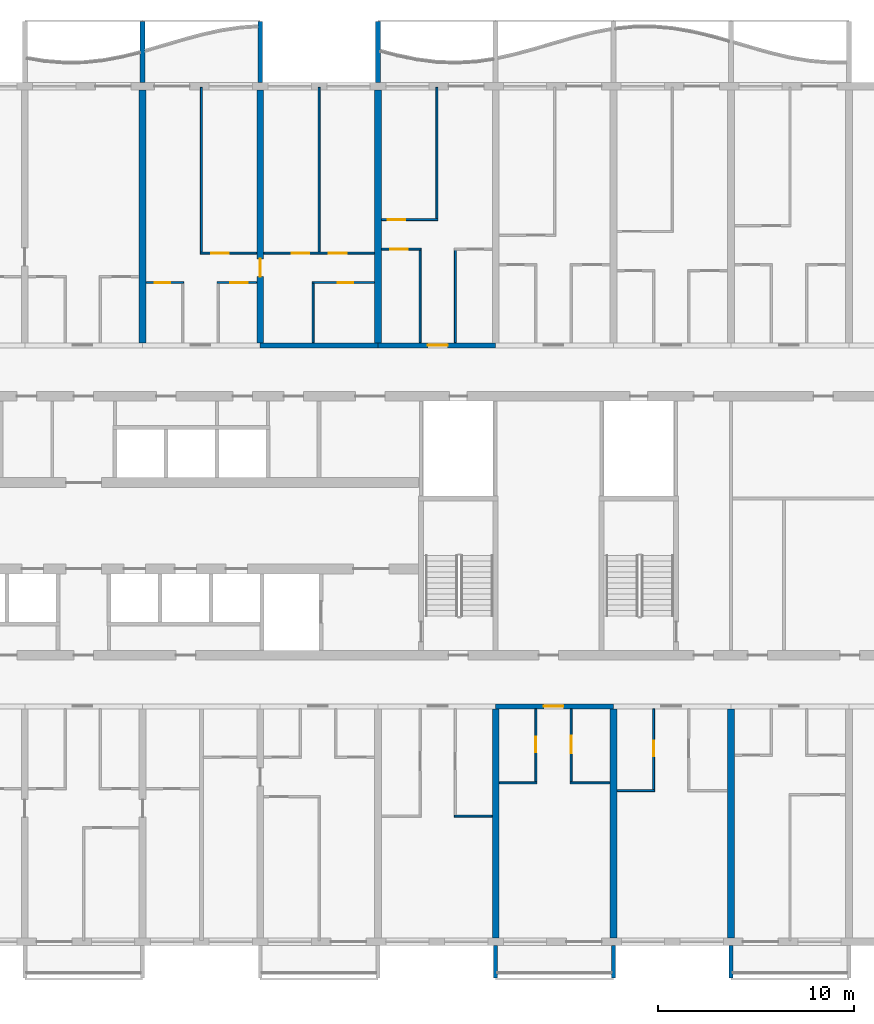
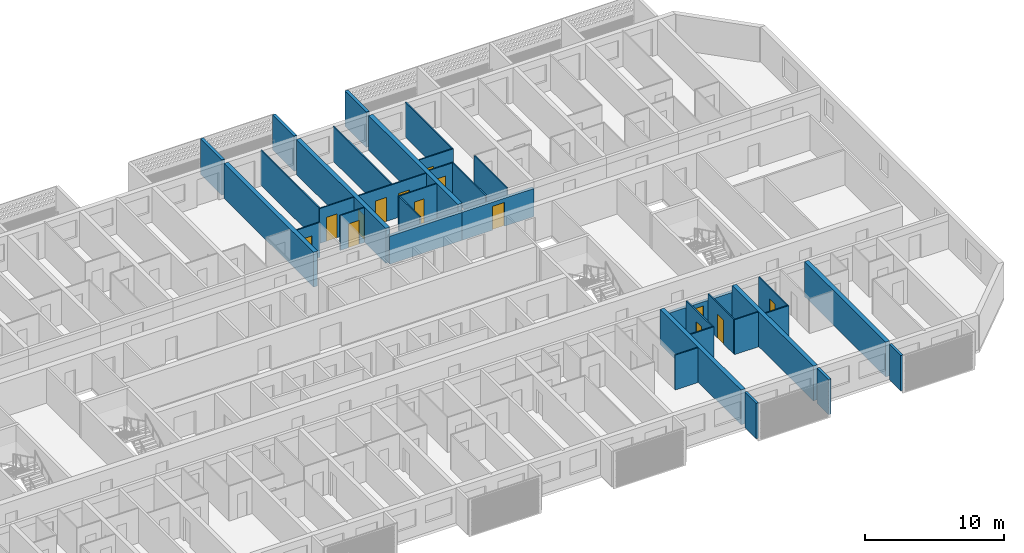
# One storey, part 13 of 27: 35 walls, 14 doors, 14 openings.
"""IFC4 building model written with IfcOpenShell, lengths in metres."""

from ifc_helpers import new_model, si_unit, direction, frame, frame_2d, origin, place, context, subcontext, project, spatial, polyline, rectangle, outline, extrude, source, transform, mapped, material, layer, layer_set, type_object, element, fill, save


model = new_model("IFC4")

# Units and contexts
model_context = context("Model", 3, precision=1e-05, world=origin(), true_north=direction((0.0, 1.0)))
body_context = subcontext(model_context, "Body", "Model", "MODEL_VIEW")
ifc_project = project(units=[si_unit("LENGTHUNIT", "METRE"), si_unit("AREAUNIT", "SQUARE_METRE"), si_unit("VOLUMEUNIT", "CUBIC_METRE"), si_unit("PLANEANGLEUNIT", "RADIAN"), si_unit("MASSUNIT", "GRAM", prefix="KILO")], contexts=[model_context])

# Site, building, storey
site_placement = place(None, origin())
site = spatial("IfcSite", under=ifc_project, at=site_placement, CompositionType="ELEMENT")
building_placement = place(site_placement, origin())
building = spatial("IfcBuilding", under=site, at=building_placement, Name="Poui Terraces", CompositionType="ELEMENT")
storey_placement = place(building_placement, frame((0.0, 0.0, 92.699951171875)))
storey = spatial("IfcBuildingStorey", under=building, at=storey_placement, Name="L25", CompositionType="ELEMENT", Elevation=92.699951171875)

# Wall, opening, door
ifc_material_1 = material(Name="Concrete 65 MPa", Category="concrete")
ifc_layer_1 = layer(ifc_material_1, 0.25)
ifc_layer_set_1 = layer_set([ifc_layer_1], Name="Concrete 65 MPa")
wall_type_1 = type_object("IfcWallType", Name="CORRIDOR WALL 250 65MPa", PredefinedType="SHEAR", material=ifc_layer_set_1)
wall_1_placement = place(storey_placement, frame((72.0, 12.0, 0.0), z_axis=(0.0, 0.0, 1.0), x_axis=(1.0, 0.0, 0.0)))
wall_1 = element("IfcWall", 1, at=wall_1_placement, inside=storey, type_object=wall_type_1, Name="CORRIDOR WALL LINE B BAY 12", PredefinedType="SHEAR", context=body_context, shape_type="SweptSolid", body=[
    extrude(rectangle(XDim=6.0, YDim=0.25, at=frame_2d((3.0, 0.0))), origin(), (0.0, 0.0, 1.0), 2.4599609375),
])
opening_1_placement = place(wall_1_placement, frame((2.449951171875, 0.0, 0.0)))
opening_1 = element("IfcOpeningElement", 2, at=opening_1_placement, cuts=wall_1, Name="Opening FD30S", PredefinedType="OPENING", context=body_context, shape_type="SweptSolid", body=[
    extrude(rectangle(XDim=1.0, YDim=2.10009765625, at=frame_2d((0.5, 1.050048828125))), frame((0.0, 0.135009765625, 0.0), z_axis=(0.0, -1.0, 0.0), x_axis=(1.0, 0.0, 0.0)), (0.0, 0.0, 1.0), 0.27001953125),
])
ifc_material_2 = material(Name="Steel fire door", Category="steel")
door_type_1 = type_object("IfcDoorType", Name="FLAT ENTRANCE DOOR 1000 X 2100", OperationType="NOTDEFINED", PredefinedType="DOOR", material=ifc_material_2)
door_1_placement = place(opening_1_placement, frame((1.0, 0.0, 0.0), z_axis=(0.0, 0.0, 1.0), x_axis=(-1.0, 0.0, 0.0)))
door_1 = element("IfcDoor", 3, at=door_1_placement, inside=storey, type_object=door_type_1, Name="FLAT ENTRANCE DOOR 122", OperationType="SINGLE_SWING_RIGHT", OverallHeight=2.10009765625, OverallWidth=1.0, PredefinedType="DOOR", context=body_context, shape_type="SweptSolid", body=[
    extrude(rectangle(XDim=1.0, YDim=2.10009765625, at=frame_2d((0.5, 1.050048828125))), frame((0.0, 0.02490234375, 0.0), z_axis=(0.0, -1.0, 0.0), x_axis=(1.0, 0.0, 0.0)), (0.0, 0.0, 1.0), 0.050048828125),
])
fill(opening_1, door_1)

# Wall
wall_2_placement = place(storey_placement, frame((60.0, 30.39990234375, 0.0), z_axis=(0.0, 0.0, 1.0), x_axis=(1.0, 0.0, 0.0)))
element("IfcWall", 4, at=wall_2_placement, inside=storey, type_object=wall_type_1, Name="CORRIDOR WALL LINE E BAY 10", PredefinedType="SHEAR", context=body_context, shape_type="SweptSolid", body=[
    extrude(rectangle(XDim=6.0, YDim=0.25, at=frame_2d((3.0, 0.0))), origin(), (0.0, 0.0, 1.0), 2.4599609375),
])

# Wall, opening, door
wall_3_placement = place(storey_placement, frame((66.0, 30.39990234375, 0.0), z_axis=(0.0, 0.0, 1.0), x_axis=(1.0, 0.0, 0.0)))
wall_3 = element("IfcWall", 5, at=wall_3_placement, inside=storey, type_object=wall_type_1, Name="CORRIDOR WALL LINE E BAY 11", PredefinedType="SHEAR", context=body_context, shape_type="SweptSolid", body=[
    extrude(rectangle(XDim=6.0, YDim=0.25, at=frame_2d((3.0, 0.0))), origin(), (0.0, 0.0, 1.0), 2.4599609375),
])
opening_2_placement = place(wall_3_placement, frame((2.550048828125, 0.0, 0.0)))
opening_2 = element("IfcOpeningElement", 6, at=opening_2_placement, cuts=wall_3, Name="Opening FD30S", PredefinedType="OPENING", context=body_context, shape_type="SweptSolid", body=[
    extrude(rectangle(XDim=1.0, YDim=2.10009765625, at=frame_2d((0.5, 1.050048828125))), frame((0.0, 0.135009765625, 0.0), z_axis=(0.0, -1.0, 0.0), x_axis=(1.0, 0.0, 0.0)), (0.0, 0.0, 1.0), 0.27001953125),
])
door_2_placement = place(opening_2_placement, origin())
door_2 = element("IfcDoor", 7, at=door_2_placement, inside=storey, type_object=door_type_1, Name="FLAT ENTRANCE DOOR 068", OperationType="SINGLE_SWING_RIGHT", OverallHeight=2.10009765625, OverallWidth=1.0, PredefinedType="DOOR", context=body_context, shape_type="SweptSolid", body=[
    extrude(rectangle(XDim=1.0, YDim=2.10009765625, at=frame_2d((0.5, 1.050048828125))), frame((0.0, 0.02490234375, 0.0), z_axis=(0.0, -1.0, 0.0), x_axis=(1.0, 0.0, 0.0)), (0.0, 0.0, 1.0), 0.050048828125),
])
fill(opening_2, door_2)

# Wall
ifc_layer_2 = layer(ifc_material_1, 0.35009765625)
ifc_layer_set_2 = layer_set([ifc_layer_2], Name="Concrete 65 MPa")
wall_type_2 = type_object("IfcWallType", Name="CROSS WALL 350 65MPa", PredefinedType="SHEAR", material=ifc_layer_set_2)
wall_4_placement = place(storey_placement, frame((54.0, 30.52490234375, 0.0), z_axis=(0.0, 0.0, 1.0), x_axis=(0.0, 1.0, 0.0)))
element("IfcWall", 8, at=wall_4_placement, inside=storey, type_object=wall_type_2, Name="CROSS WALL LINE 10 NORTH", PredefinedType="SHEAR", context=body_context, shape_type="SweptSolid", body=[
    extrude(rectangle(XDim=12.875, YDim=0.35009765625, at=frame_2d((6.4375, 0.0))), origin(), (0.0, 0.0, 1.0), 3.06005859375),
])

# Wall, opening, door
wall_5_placement = place(storey_placement, frame((60.0, 30.52490234375, 0.0), z_axis=(0.0, 0.0, 1.0), x_axis=(0.0, 1.0, 0.0)))
wall_5 = element("IfcWall", 9, at=wall_5_placement, inside=storey, type_object=wall_type_2, Name="CROSS WALL LINE 11 NORTH", PredefinedType="SHEAR", context=body_context, shape_type="SweptSolid", body=[
    extrude(rectangle(XDim=12.875, YDim=0.35009765625, at=frame_2d((6.4375, 0.0))), origin(), (0.0, 0.0, 1.0), 3.06005859375),
])
opening_3_placement = place(wall_5_placement, frame((3.375, 0.0, 0.0)))
opening_3 = element("IfcOpeningElement", 10, at=opening_3_placement, cuts=wall_5, Name="Opening D90", PredefinedType="OPENING", context=body_context, shape_type="SweptSolid", body=[
    extrude(rectangle(XDim=0.89990234375, YDim=2.10009765625, at=frame_2d((0.449951171875, 1.050048828125))), frame((0.0, 0.18505859375, 0.0), z_axis=(0.0, -1.0, 0.0), x_axis=(1.0, 0.0, 0.0)), (0.0, 0.0, 1.0), 0.3701171875),
])
ifc_material_3 = material(Name="Solid core timber door", Category="wood")
door_type_2 = type_object("IfcDoorType", Name="INTERNAL DOOR 900 X 2100", OperationType="NOTDEFINED", PredefinedType="DOOR", material=ifc_material_3)
door_3_placement = place(opening_3_placement, origin())
door_3 = element("IfcDoor", 11, at=door_3_placement, inside=storey, type_object=door_type_2, Name="INTERNAL DOOR 065", OperationType="SINGLE_SWING_LEFT", OverallHeight=2.10009765625, OverallWidth=0.89990234375, PredefinedType="DOOR", context=body_context, shape_type="SweptSolid", body=[
    extrude(rectangle(XDim=0.89990234375, YDim=2.10009765625, at=frame_2d((0.449951171875, 1.050048828125))), frame((0.0, 0.02490234375, 0.0), z_axis=(0.0, -1.0, 0.0), x_axis=(1.0, 0.0, 0.0)), (0.0, 0.0, 1.0), 0.050048828125),
])
fill(opening_3, door_3)

# Walls
wall_6_placement = place(storey_placement, frame((66.0, 30.52490234375, 0.0), z_axis=(0.0, 0.0, 1.0), x_axis=(0.0, 1.0, 0.0)))
element("IfcWall", 12, at=wall_6_placement, inside=storey, type_object=wall_type_2, Name="CROSS WALL LINE 12 NORTH", PredefinedType="SHEAR", context=body_context, shape_type="SweptSolid", body=[
    extrude(rectangle(XDim=12.875, YDim=0.35009765625, at=frame_2d((6.4375, 0.0))), origin(), (0.0, 0.0, 1.0), 3.06005859375),
])
for number, where, z_axis, x_axis, name in (
    (13, (72.0, 0.199951171875, 0.0), (0.0, 0.0, 1.0), (0.0, 1.0, 0.0), "CROSS WALL LINE 13 SOUTH"),
    (14, (78.0, 0.199951171875, 0.0), (0.0, 0.0, 1.0), (0.0, 1.0, 0.0), "CROSS WALL LINE 14 SOUTH"),
    (15, (84.0, 0.199951171875, 0.0), (0.0, 0.0, 1.0), (0.0, 1.0, 0.0), "CROSS WALL LINE 15 SOUTH"),
):
    element("IfcWall", number, at=place(storey_placement, frame(where, z_axis=z_axis, x_axis=x_axis)), inside=storey, type_object=wall_type_2, Name=name, PredefinedType="SHEAR", context=body_context, shape_type="SweptSolid", body=[
        extrude(rectangle(XDim=11.675048828125, YDim=0.35009765625, at=frame_2d((5.83740234375, 0.0))), origin(), (0.0, 0.0, 1.0), 3.06005859375),
    ])
ifc_material_4 = material(Name="Plasterboard partition")
ifc_layer_3 = layer(ifc_material_4, 0.10009765625)
ifc_layer_set_3 = layer_set([ifc_layer_3], Name="Plasterboard partition")
wall_type_3 = type_object("IfcWallType", Name="FLAT PARTITION 100", PredefinedType="PARTITIONING", material=ifc_layer_set_3)
for number, where, z_axis, x_axis, name in (
    (16, (69.89990234375, 6.39990234375, 0.0), (0.0, 0.0, 1.0), (1.0, 0.0, 0.0), "FLAT PARTITION 100"),
    (17, (78.18505859375, 7.699951171875, 0.0), (0.0, 0.0, 1.0), (1.0, 0.0, 0.0), "FLAT PARTITION 100"),
    (18, (72.18505859375, 8.10009765625, 0.0), (0.0, 0.0, 1.0), (1.0, 0.0, 0.0), "FLAT PARTITION 100"),
):
    element("IfcWall", number, at=place(storey_placement, frame(where, z_axis=z_axis, x_axis=x_axis)), inside=storey, type_object=wall_type_3, Name=name, PredefinedType="PARTITIONING", context=body_context, shape_type="SweptSolid", body=[
        extrude(rectangle(XDim=1.9150390625, YDim=0.10009765625, at=frame_2d((0.95751953125, 0.0))), origin(), (0.0, 0.0, 1.0), 3.06005859375),
    ])
wall_7_placement = place(storey_placement, frame((75.800048828125, 8.10009765625, 0.0), z_axis=(0.0, 0.0, 1.0), x_axis=(1.0, 0.0, 0.0)))
element("IfcWall", 19, at=wall_7_placement, inside=storey, type_object=wall_type_3, Name="FLAT PARTITION 100", PredefinedType="PARTITIONING", context=body_context, shape_type="SweptSolid", body=[
    extrude(rectangle(XDim=2.014892578125, YDim=0.10009765625, at=frame_2d((1.00732421875, 0.0))), origin(), (0.0, 0.0, 1.0), 3.06005859375),
])

# Wall, opening, door
wall_8_placement = place(storey_placement, frame((54.18505859375, 33.60009765625, 0.0), z_axis=(0.0, 0.0, 1.0), x_axis=(1.0, 0.0, 0.0)))
wall_8 = element("IfcWall", 20, at=wall_8_placement, inside=storey, type_object=wall_type_3, Name="FLAT PARTITION 100", PredefinedType="PARTITIONING", context=body_context, shape_type="SweptSolid", body=[
    extrude(rectangle(XDim=1.9150390625, YDim=0.10009765625, at=frame_2d((0.95751953125, 0.0))), origin(), (0.0, 0.0, 1.0), 3.06005859375),
])
opening_4_placement = place(wall_8_placement, frame((0.43994140625, 0.0, 0.0)))
opening_4 = element("IfcOpeningElement", 21, at=opening_4_placement, cuts=wall_8, Name="Opening D80", PredefinedType="OPENING", context=body_context, shape_type="SweptSolid", body=[
    extrude(rectangle(XDim=0.800048828125, YDim=2.10009765625, at=frame_2d((0.39990234375, 1.050048828125))), frame((0.0, 0.06005859375, 0.0), z_axis=(0.0, -1.0, 0.0), x_axis=(1.0, 0.0, 0.0)), (0.0, 0.0, 1.0), 0.1201171875),
])
door_type_3 = type_object("IfcDoorType", Name="BATHROOM, LAUNDRY AND STORE DOOR 800 X 2100", OperationType="NOTDEFINED", PredefinedType="DOOR", material=ifc_material_3)
door_4_placement = place(opening_4_placement, frame((0.800048828125, 0.0, 0.0), z_axis=(0.0, 0.0, 1.0), x_axis=(-1.0, 0.0, 0.0)))
door_4 = element("IfcDoor", 22, at=door_4_placement, inside=storey, type_object=door_type_3, Name="BATHROOM, LAUNDRY AND STORE DOOR 061", OperationType="SINGLE_SWING_LEFT", OverallHeight=2.10009765625, OverallWidth=0.800048828125, PredefinedType="DOOR", context=body_context, shape_type="SweptSolid", body=[
    extrude(rectangle(XDim=0.800048828125, YDim=2.10009765625, at=frame_2d((0.39990234375, 1.050048828125))), frame((0.0, 0.02490234375, 0.0), z_axis=(0.0, -1.0, 0.0), x_axis=(1.0, 0.0, 0.0)), (0.0, 0.0, 1.0), 0.050048828125),
])
fill(opening_4, door_4)

wall_9_placement = place(storey_placement, frame((57.800048828125, 33.60009765625, 0.0), z_axis=(0.0, 0.0, 1.0), x_axis=(1.0, 0.0, 0.0)))
wall_9 = element("IfcWall", 23, at=wall_9_placement, inside=storey, type_object=wall_type_3, Name="FLAT PARTITION 100", PredefinedType="PARTITIONING", context=body_context, shape_type="SweptSolid", body=[
    extrude(rectangle(XDim=2.014892578125, YDim=0.10009765625, at=frame_2d((1.00732421875, 0.0))), origin(), (0.0, 0.0, 1.0), 3.06005859375),
])
opening_5_placement = place(wall_9_placement, frame((0.675048828125, 0.0, 0.0)))
opening_5 = element("IfcOpeningElement", 24, at=opening_5_placement, cuts=wall_9, Name="Opening D90", PredefinedType="OPENING", context=body_context, shape_type="SweptSolid", body=[
    extrude(rectangle(XDim=0.89990234375, YDim=2.10009765625, at=frame_2d((0.449951171875, 1.050048828125))), frame((0.0, 0.06005859375, 0.0), z_axis=(0.0, -1.0, 0.0), x_axis=(1.0, 0.0, 0.0)), (0.0, 0.0, 1.0), 0.1201171875),
])
door_5_placement = place(opening_5_placement, frame((0.89990234375, 0.0, 0.0), z_axis=(0.0, 0.0, 1.0), x_axis=(-1.0, 0.0, 0.0)))
door_5 = element("IfcDoor", 25, at=door_5_placement, inside=storey, type_object=door_type_2, Name="INTERNAL DOOR 064", OperationType="SINGLE_SWING_RIGHT", OverallHeight=2.10009765625, OverallWidth=0.89990234375, PredefinedType="DOOR", context=body_context, shape_type="SweptSolid", body=[
    extrude(rectangle(XDim=0.89990234375, YDim=2.10009765625, at=frame_2d((0.449951171875, 1.050048828125))), frame((0.0, 0.02490234375, 0.0), z_axis=(0.0, -1.0, 0.0), x_axis=(1.0, 0.0, 0.0)), (0.0, 0.0, 1.0), 0.050048828125),
])
fill(opening_5, door_5)

wall_10_placement = place(storey_placement, frame((62.64990234375, 33.60009765625, 0.0), z_axis=(0.0, 0.0, 1.0), x_axis=(1.0, 0.0, 0.0)))
wall_10 = element("IfcWall", 26, at=wall_10_placement, inside=storey, type_object=wall_type_3, Name="FLAT PARTITION 100", PredefinedType="PARTITIONING", context=body_context, shape_type="SweptSolid", body=[
    extrude(rectangle(XDim=3.1650390625, YDim=0.10009765625, at=frame_2d((1.58251953125, 0.0))), origin(), (0.0, 0.0, 1.0), 3.06005859375),
])
opening_6_placement = place(wall_10_placement, frame((1.300048828125, 0.0, 0.0)))
opening_6 = element("IfcOpeningElement", 27, at=opening_6_placement, cuts=wall_10, Name="Opening D80", PredefinedType="OPENING", context=body_context, shape_type="SweptSolid", body=[
    extrude(rectangle(XDim=0.800048828125, YDim=2.10009765625, at=frame_2d((0.39990234375, 1.050048828125))), frame((0.0, 0.06005859375, 0.0), z_axis=(0.0, -1.0, 0.0), x_axis=(1.0, 0.0, 0.0)), (0.0, 0.0, 1.0), 0.1201171875),
])
door_6_placement = place(opening_6_placement, origin())
door_6 = element("IfcDoor", 28, at=door_6_placement, inside=storey, type_object=door_type_3, Name="BATHROOM, LAUNDRY AND STORE DOOR 060", OperationType="SINGLE_SWING_LEFT", OverallHeight=2.10009765625, OverallWidth=0.800048828125, PredefinedType="DOOR", context=body_context, shape_type="SweptSolid", body=[
    extrude(rectangle(XDim=0.800048828125, YDim=2.10009765625, at=frame_2d((0.39990234375, 1.050048828125))), frame((0.0, 0.02490234375, 0.0), z_axis=(0.0, -1.0, 0.0), x_axis=(1.0, 0.0, 0.0)), (0.0, 0.0, 1.0), 0.050048828125),
])
fill(opening_6, door_6)

wall_11_placement = place(storey_placement, frame((56.949951171875, 35.10009765625, 0.0), z_axis=(0.0, 0.0, 1.0), x_axis=(1.0, 0.0, 0.0)))
wall_11 = element("IfcWall", 29, at=wall_11_placement, inside=storey, type_object=wall_type_3, Name="FLAT PARTITION 100", PredefinedType="PARTITIONING", context=body_context, shape_type="SweptSolid", body=[
    extrude(rectangle(XDim=2.864990234375, YDim=0.10009765625, at=frame_2d((1.4326171875, 0.0))), origin(), (0.0, 0.0, 1.0), 3.06005859375),
])
opening_7_placement = place(wall_11_placement, frame((0.550048828125, 0.0, 0.0)))
opening_7 = element("IfcOpeningElement", 30, at=opening_7_placement, cuts=wall_11, Name="Opening D90", PredefinedType="OPENING", context=body_context, shape_type="SweptSolid", body=[
    extrude(rectangle(XDim=0.89990234375, YDim=2.10009765625, at=frame_2d((0.449951171875, 1.050048828125))), frame((0.0, 0.06005859375, 0.0), z_axis=(0.0, -1.0, 0.0), x_axis=(1.0, 0.0, 0.0)), (0.0, 0.0, 1.0), 0.1201171875),
])
door_7_placement = place(opening_7_placement, frame((0.89990234375, 0.0, 0.0), z_axis=(0.0, 0.0, 1.0), x_axis=(-1.0, 0.0, 0.0)))
door_7 = element("IfcDoor", 31, at=door_7_placement, inside=storey, type_object=door_type_2, Name="INTERNAL DOOR 063", OperationType="SINGLE_SWING_LEFT", OverallHeight=2.10009765625, OverallWidth=0.89990234375, PredefinedType="DOOR", context=body_context, shape_type="SweptSolid", body=[
    extrude(rectangle(XDim=0.89990234375, YDim=2.10009765625, at=frame_2d((0.449951171875, 1.050048828125))), frame((0.0, 0.02490234375, 0.0), z_axis=(0.0, -1.0, 0.0), x_axis=(1.0, 0.0, 0.0)), (0.0, 0.0, 1.0), 0.050048828125),
])
fill(opening_7, door_7)

# Wall, openings, doors
wall_12_placement = place(storey_placement, frame((60.18505859375, 35.10009765625, 0.0), z_axis=(0.0, 0.0, 1.0), x_axis=(1.0, 0.0, 0.0)))
wall_12 = element("IfcWall", 32, at=wall_12_placement, inside=storey, type_object=wall_type_3, Name="FLAT PARTITION 100", PredefinedType="PARTITIONING", context=body_context, shape_type="SweptSolid", body=[
    extrude(rectangle(XDim=5.6298828125, YDim=0.10009765625, at=frame_2d((2.81494140625, 0.0))), origin(), (0.0, 0.0, 1.0), 3.06005859375),
])
opening_8_placement = place(wall_12_placement, frame((1.4150390625, 0.0, 0.0)))
opening_8 = element("IfcOpeningElement", 33, at=opening_8_placement, cuts=wall_12, Name="Opening D90", PredefinedType="OPENING", context=body_context, shape_type="SweptSolid", body=[
    extrude(rectangle(XDim=0.89990234375, YDim=2.10009765625, at=frame_2d((0.449951171875, 1.050048828125))), frame((0.0, 0.06005859375, 0.0), z_axis=(0.0, -1.0, 0.0), x_axis=(1.0, 0.0, 0.0)), (0.0, 0.0, 1.0), 0.1201171875),
])
opening_9_placement = place(wall_12_placement, frame((3.31494140625, 0.0, 0.0)))
opening_9 = element("IfcOpeningElement", 34, at=opening_9_placement, cuts=wall_12, Name="Opening D90", PredefinedType="OPENING", context=body_context, shape_type="SweptSolid", body=[
    extrude(rectangle(XDim=0.89990234375, YDim=2.10009765625, at=frame_2d((0.449951171875, 1.050048828125))), frame((0.0, 0.06005859375, 0.0), z_axis=(0.0, -1.0, 0.0), x_axis=(1.0, 0.0, 0.0)), (0.0, 0.0, 1.0), 0.1201171875),
])
door_8_placement = place(opening_8_placement, origin())
door_8 = element("IfcDoor", 35, at=door_8_placement, inside=storey, type_object=door_type_2, Name="INTERNAL DOOR 058", OperationType="SINGLE_SWING_RIGHT", OverallHeight=2.10009765625, OverallWidth=0.89990234375, PredefinedType="DOOR", context=body_context, shape_type="SweptSolid", body=[
    extrude(rectangle(XDim=0.89990234375, YDim=2.10009765625, at=frame_2d((0.449951171875, 1.050048828125))), frame((0.0, 0.02490234375, 0.0), z_axis=(0.0, -1.0, 0.0), x_axis=(1.0, 0.0, 0.0)), (0.0, 0.0, 1.0), 0.050048828125),
])
fill(opening_8, door_8)
door_9_placement = place(opening_9_placement, origin())
door_9 = element("IfcDoor", 36, at=door_9_placement, inside=storey, type_object=door_type_2, Name="INTERNAL DOOR 059", OperationType="SINGLE_SWING_LEFT", OverallHeight=2.10009765625, OverallWidth=0.89990234375, PredefinedType="DOOR", context=body_context, shape_type="SweptSolid", body=[
    extrude(rectangle(XDim=0.89990234375, YDim=2.10009765625, at=frame_2d((0.449951171875, 1.050048828125))), frame((0.0, 0.02490234375, 0.0), z_axis=(0.0, -1.0, 0.0), x_axis=(1.0, 0.0, 0.0)), (0.0, 0.0, 1.0), 0.050048828125),
])
fill(opening_9, door_9)

# Wall, opening, door
wall_13_placement = place(storey_placement, frame((66.18505859375, 35.300048828125, 0.0), z_axis=(0.0, 0.0, 1.0), x_axis=(1.0, 0.0, 0.0)))
wall_13 = element("IfcWall", 37, at=wall_13_placement, inside=storey, type_object=wall_type_3, Name="FLAT PARTITION 100", PredefinedType="PARTITIONING", context=body_context, shape_type="SweptSolid", body=[
    extrude(rectangle(XDim=2.014892578125, YDim=0.10009765625, at=frame_2d((1.00732421875, 0.0))), origin(), (0.0, 0.0, 1.0), 3.06005859375),
])
opening_10_placement = place(wall_13_placement, frame((0.43994140625, 0.0, 0.0)))
opening_10 = element("IfcOpeningElement", 38, at=opening_10_placement, cuts=wall_13, Name="Opening D90", PredefinedType="OPENING", context=body_context, shape_type="SweptSolid", body=[
    extrude(rectangle(XDim=0.89990234375, YDim=2.10009765625, at=frame_2d((0.449951171875, 1.050048828125))), frame((0.0, 0.06005859375, 0.0), z_axis=(0.0, -1.0, 0.0), x_axis=(1.0, 0.0, 0.0)), (0.0, 0.0, 1.0), 0.1201171875),
])
door_10_placement = place(opening_10_placement, frame((0.89990234375, 0.0, 0.0), z_axis=(0.0, 0.0, 1.0), x_axis=(-1.0, 0.0, 0.0)))
door_10 = element("IfcDoor", 39, at=door_10_placement, inside=storey, type_object=door_type_2, Name="INTERNAL DOOR 067", OperationType="SINGLE_SWING_RIGHT", OverallHeight=2.10009765625, OverallWidth=0.89990234375, PredefinedType="DOOR", context=body_context, shape_type="SweptSolid", body=[
    extrude(rectangle(XDim=0.89990234375, YDim=2.10009765625, at=frame_2d((0.449951171875, 1.050048828125))), frame((0.0, 0.02490234375, 0.0), z_axis=(0.0, -1.0, 0.0), x_axis=(1.0, 0.0, 0.0)), (0.0, 0.0, 1.0), 0.050048828125),
])
fill(opening_10, door_10)

wall_14_placement = place(storey_placement, frame((66.18505859375, 36.800048828125, 0.0), z_axis=(0.0, 0.0, 1.0), x_axis=(1.0, 0.0, 0.0)))
wall_14 = element("IfcWall", 40, at=wall_14_placement, inside=storey, type_object=wall_type_3, Name="FLAT PARTITION 100", PredefinedType="PARTITIONING", context=body_context, shape_type="SweptSolid", body=[
    extrude(rectangle(XDim=2.864990234375, YDim=0.10009765625, at=frame_2d((1.4326171875, 0.0))), origin(), (0.0, 0.0, 1.0), 3.06005859375),
])
opening_11_placement = place(wall_14_placement, frame((0.31494140625, 0.0, 0.0)))
opening_11 = element("IfcOpeningElement", 41, at=opening_11_placement, cuts=wall_14, Name="Opening D90", PredefinedType="OPENING", context=body_context, shape_type="SweptSolid", body=[
    extrude(rectangle(XDim=0.89990234375, YDim=2.10009765625, at=frame_2d((0.449951171875, 1.050048828125))), frame((0.0, 0.06005859375, 0.0), z_axis=(0.0, -1.0, 0.0), x_axis=(1.0, 0.0, 0.0)), (0.0, 0.0, 1.0), 0.1201171875),
])
door_11_placement = place(opening_11_placement, frame((0.89990234375, 0.0, 0.0), z_axis=(0.0, 0.0, 1.0), x_axis=(-1.0, 0.0, 0.0)))
door_11 = element("IfcDoor", 42, at=door_11_placement, inside=storey, type_object=door_type_2, Name="INTERNAL DOOR 066", OperationType="SINGLE_SWING_LEFT", OverallHeight=2.10009765625, OverallWidth=0.89990234375, PredefinedType="DOOR", context=body_context, shape_type="SweptSolid", body=[
    extrude(rectangle(XDim=0.89990234375, YDim=2.10009765625, at=frame_2d((0.449951171875, 1.050048828125))), frame((0.0, 0.02490234375, 0.0), z_axis=(0.0, -1.0, 0.0), x_axis=(1.0, 0.0, 0.0)), (0.0, 0.0, 1.0), 0.050048828125),
])
fill(opening_11, door_11)

# Walls
wall_15_placement = place(storey_placement, frame((57.0, 35.14990234375, 0.0), z_axis=(0.0, 0.0, 1.0), x_axis=(0.0, 1.0, 0.0)))
element("IfcWall", 43, at=wall_15_placement, inside=storey, type_object=wall_type_3, Name="FLAT PARTITION 100", PredefinedType="PARTITIONING", context=body_context, shape_type="SweptSolid", body=[
    extrude(rectangle(XDim=8.39013671875, YDim=0.10009765625, at=frame_2d((4.195068359375, 0.0))), origin(), (0.0, 0.0, 1.0), 3.06005859375),
])
wall_16_placement = place(storey_placement, frame((62.699951171875, 30.534912109375, 0.0), z_axis=(0.0, 0.0, 1.0), x_axis=(0.0, 1.0, 0.0)))
element("IfcWall", 44, at=wall_16_placement, inside=storey, type_object=wall_type_3, Name="FLAT PARTITION 100", PredefinedType="PARTITIONING", context=body_context, shape_type="SweptSolid", body=[
    extrude(rectangle(XDim=3.01513671875, YDim=0.10009765625, at=frame_2d((1.507568359375, 0.0))), origin(), (0.0, 0.0, 1.0), 3.06005859375),
])
wall_17_placement = place(storey_placement, frame((63.0, 35.14990234375, 0.0), z_axis=(0.0, 0.0, 1.0), x_axis=(0.0, 1.0, 0.0)))
element("IfcWall", 45, at=wall_17_placement, inside=storey, type_object=wall_type_3, Name="FLAT PARTITION 100", PredefinedType="PARTITIONING", context=body_context, shape_type="SweptSolid", body=[
    extrude(rectangle(XDim=8.39013671875, YDim=0.10009765625, at=frame_2d((4.195068359375, 0.0))), origin(), (0.0, 0.0, 1.0), 3.06005859375),
])
wall_18_placement = place(storey_placement, frame((68.14990234375, 30.534912109375, 0.0), z_axis=(0.0, 0.0, 1.0), x_axis=(0.0, 1.0, 0.0)))
element("IfcWall", 46, at=wall_18_placement, inside=storey, type_object=wall_type_3, Name="FLAT PARTITION 100", PredefinedType="PARTITIONING", context=body_context, shape_type="SweptSolid", body=[
    extrude(rectangle(XDim=4.715087890625, YDim=0.10009765625, at=frame_2d((2.357421875, 0.0))), origin(), (0.0, 0.0, 1.0), 3.06005859375),
])
wall_19_placement = place(storey_placement, frame((69.0, 36.85009765625, 0.0), z_axis=(0.0, 0.0, 1.0), x_axis=(0.0, 1.0, 0.0)))
element("IfcWall", 47, at=wall_19_placement, inside=storey, type_object=wall_type_3, Name="FLAT PARTITION 100", PredefinedType="PARTITIONING", context=body_context, shape_type="SweptSolid", body=[
    extrude(rectangle(XDim=6.68994140625, YDim=0.10009765625, at=frame_2d((3.344970703125, 0.0))), origin(), (0.0, 0.0, 1.0), 3.06005859375),
])
wall_20_placement = place(storey_placement, frame((69.949951171875, 30.534912109375, 0.0), z_axis=(0.0, 0.0, 1.0), x_axis=(0.0, 1.0, 0.0)))
element("IfcWall", 48, at=wall_20_placement, inside=storey, type_object=wall_type_3, Name="FLAT PARTITION 100", PredefinedType="PARTITIONING", context=body_context, shape_type="SweptSolid", body=[
    extrude(rectangle(XDim=4.715087890625, YDim=0.10009765625, at=frame_2d((2.357421875, 0.0))), origin(), (0.0, 0.0, 1.0), 3.06005859375),
])

# Wall, opening, door
wall_21_placement = place(storey_placement, frame((74.050048828125, 8.14990234375, 0.0), z_axis=(0.0, 0.0, 1.0), x_axis=(0.0, 1.0, 0.0)))
wall_21 = element("IfcWall", 49, at=wall_21_placement, inside=storey, type_object=wall_type_3, Name="FLAT PARTITION 100", PredefinedType="PARTITIONING", context=body_context, shape_type="SweptSolid", body=[
    extrude(rectangle(XDim=3.715087890625, YDim=0.10009765625, at=frame_2d((1.857421875, 0.0))), origin(), (0.0, 0.0, 1.0), 3.06005859375),
])
opening_12_placement = place(wall_21_placement, frame((1.5, 0.0, 0.0)))
opening_12 = element("IfcOpeningElement", 50, at=opening_12_placement, cuts=wall_21, Name="Opening D80", PredefinedType="OPENING", context=body_context, shape_type="SweptSolid", body=[
    extrude(rectangle(XDim=0.800048828125, YDim=2.10009765625, at=frame_2d((0.39990234375, 1.050048828125))), frame((0.0, 0.06005859375, 0.0), z_axis=(0.0, -1.0, 0.0), x_axis=(1.0, 0.0, 0.0)), (0.0, 0.0, 1.0), 0.1201171875),
])
door_12_placement = place(opening_12_placement, origin())
door_12 = element("IfcDoor", 51, at=door_12_placement, inside=storey, type_object=door_type_3, Name="BATHROOM, LAUNDRY AND STORE DOOR 121", OperationType="SINGLE_SWING_RIGHT", OverallHeight=2.10009765625, OverallWidth=0.800048828125, PredefinedType="DOOR", context=body_context, shape_type="SweptSolid", body=[
    extrude(rectangle(XDim=0.800048828125, YDim=2.10009765625, at=frame_2d((0.39990234375, 1.050048828125))), frame((0.0, 0.02490234375, 0.0), z_axis=(0.0, -1.0, 0.0), x_axis=(1.0, 0.0, 0.0)), (0.0, 0.0, 1.0), 0.050048828125),
])
fill(opening_12, door_12)

wall_22_placement = place(storey_placement, frame((75.85009765625, 8.14990234375, 0.0), z_axis=(0.0, 0.0, 1.0), x_axis=(0.0, 1.0, 0.0)))
wall_22 = element("IfcWall", 52, at=wall_22_placement, inside=storey, type_object=wall_type_3, Name="FLAT PARTITION 100", PredefinedType="PARTITIONING", context=body_context, shape_type="SweptSolid", body=[
    extrude(rectangle(XDim=3.715087890625, YDim=0.10009765625, at=frame_2d((1.857421875, 0.0))), origin(), (0.0, 0.0, 1.0), 3.06005859375),
])
opening_13_placement = place(wall_22_placement, frame((1.449951171875, 0.0, 0.0)))
opening_13 = element("IfcOpeningElement", 53, at=opening_13_placement, cuts=wall_22, Name="Opening D90", PredefinedType="OPENING", context=body_context, shape_type="SweptSolid", body=[
    extrude(rectangle(XDim=0.89990234375, YDim=2.10009765625, at=frame_2d((0.449951171875, 1.050048828125))), frame((0.0, 0.06005859375, 0.0), z_axis=(0.0, -1.0, 0.0), x_axis=(1.0, 0.0, 0.0)), (0.0, 0.0, 1.0), 0.1201171875),
])
door_13_placement = place(opening_13_placement, frame((0.89990234375, 0.0, 0.0), z_axis=(0.0, 0.0, 1.0), x_axis=(-1.0, 0.0, 0.0)))
door_13 = element("IfcDoor", 54, at=door_13_placement, inside=storey, type_object=door_type_2, Name="INTERNAL DOOR 123", OperationType="SINGLE_SWING_RIGHT", OverallHeight=2.10009765625, OverallWidth=0.89990234375, PredefinedType="DOOR", context=body_context, shape_type="SweptSolid", body=[
    extrude(rectangle(XDim=0.89990234375, YDim=2.10009765625, at=frame_2d((0.449951171875, 1.050048828125))), frame((0.0, 0.02490234375, 0.0), z_axis=(0.0, -1.0, 0.0), x_axis=(1.0, 0.0, 0.0)), (0.0, 0.0, 1.0), 0.050048828125),
])
fill(opening_13, door_13)

wall_23_placement = place(storey_placement, frame((80.050048828125, 7.75, 0.0), z_axis=(0.0, 0.0, 1.0), x_axis=(0.0, 1.0, 0.0)))
wall_23 = element("IfcWall", 55, at=wall_23_placement, inside=storey, type_object=wall_type_3, Name="FLAT PARTITION 100", PredefinedType="PARTITIONING", context=body_context, shape_type="SweptSolid", body=[
    extrude(rectangle(XDim=4.114990234375, YDim=0.10009765625, at=frame_2d((2.0576171875, 0.0))), origin(), (0.0, 0.0, 1.0), 3.06005859375),
])
opening_14_placement = place(wall_23_placement, frame((1.699951171875, 0.0, 0.0)))
opening_14 = element("IfcOpeningElement", 56, at=opening_14_placement, cuts=wall_23, Name="Opening D80", PredefinedType="OPENING", context=body_context, shape_type="SweptSolid", body=[
    extrude(rectangle(XDim=0.800048828125, YDim=2.10009765625, at=frame_2d((0.39990234375, 1.050048828125))), frame((0.0, 0.06005859375, 0.0), z_axis=(0.0, -1.0, 0.0), x_axis=(1.0, 0.0, 0.0)), (0.0, 0.0, 1.0), 0.1201171875),
])
door_14_placement = place(opening_14_placement, origin())
door_14 = element("IfcDoor", 57, at=door_14_placement, inside=storey, type_object=door_type_3, Name="BATHROOM, LAUNDRY AND STORE DOOR 124", OperationType="SINGLE_SWING_LEFT", OverallHeight=2.10009765625, OverallWidth=0.800048828125, PredefinedType="DOOR", context=body_context, shape_type="SweptSolid", body=[
    extrude(rectangle(XDim=0.800048828125, YDim=2.10009765625, at=frame_2d((0.39990234375, 1.050048828125))), frame((0.0, 0.02490234375, 0.0), z_axis=(0.0, -1.0, 0.0), x_axis=(1.0, 0.0, 0.0)), (0.0, 0.0, 1.0), 0.050048828125),
])
fill(opening_14, door_14)

# Walls
ifc_material_5 = material(Name="Precast concrete 40 MPa", Category="concrete")
ifc_layer_4 = layer(ifc_material_5, 0.199951171875)
ifc_layer_set_4 = layer_set([ifc_layer_4], Name="Precast concrete 40 MPa")
wall_type_4 = type_object("IfcWallType", Name="REAR FIN 200", PredefinedType="STANDARD", material=ifc_layer_set_4)
shared_shape_1 = source(origin(), body_context, "Body", "SweptSolid", [
    extrude(outline(polyline([(0.0, 0.0), (0.2001953125, 0.0), (0.2001953125, 1.650146484375), (0.0, 1.650146484375), (0.0, 0.0)])), origin(), (0.0, 0.0, 1.0), 3.10009765625),
])
for number, where, name in (
    (58, (71.89990234375, -1.85009765625, 0.0), "REAR FIN"),
    (59, (77.89990234375, -1.85009765625, 0.0), "REAR FIN"),
    (60, (83.89990234375, -1.85009765625, 0.0), "REAR FIN"),
):
    element("IfcWall", number, at=place(storey_placement, frame(where)), inside=storey, type_object=wall_type_4, Name=name, PredefinedType="STANDARD", context=body_context, shape_type="MappedRepresentation", body=[
        mapped(shared_shape_1, transform((0.0, 0.0, 0.0))),
    ])
ifc_layer_5 = layer(ifc_material_5, 0.25)
ifc_layer_set_5 = layer_set([ifc_layer_5], Name="Precast concrete 40 MPa")
wall_type_5 = type_object("IfcWallType", Name="BALCONY FIN 250", PredefinedType="STANDARD", material=ifc_layer_set_5)
shared_shape_2 = source(origin(), body_context, "Body", "SweptSolid", [
    extrude(outline(polyline([(0.0, 0.0), (0.25, 0.0), (0.25, 3.099853515625), (0.0, 3.099853515625), (0.0, 0.0)])), origin(), (0.0, 0.0, 1.0), 3.10009765625),
])
for number, where, name in (
    (61, (53.875, 43.800048828125, 0.0), "BALCONY FIN"),
    (62, (59.875, 43.800048828125, 0.0), "BALCONY FIN"),
    (63, (65.875, 43.800048828125, 0.0), "BALCONY FIN"),
):
    element("IfcWall", number, at=place(storey_placement, frame(where)), inside=storey, type_object=wall_type_5, Name=name, PredefinedType="STANDARD", context=body_context, shape_type="MappedRepresentation", body=[
        mapped(shared_shape_2, transform((0.0, 0.0, 0.0))),
    ])

save(model, "model.ifc")
